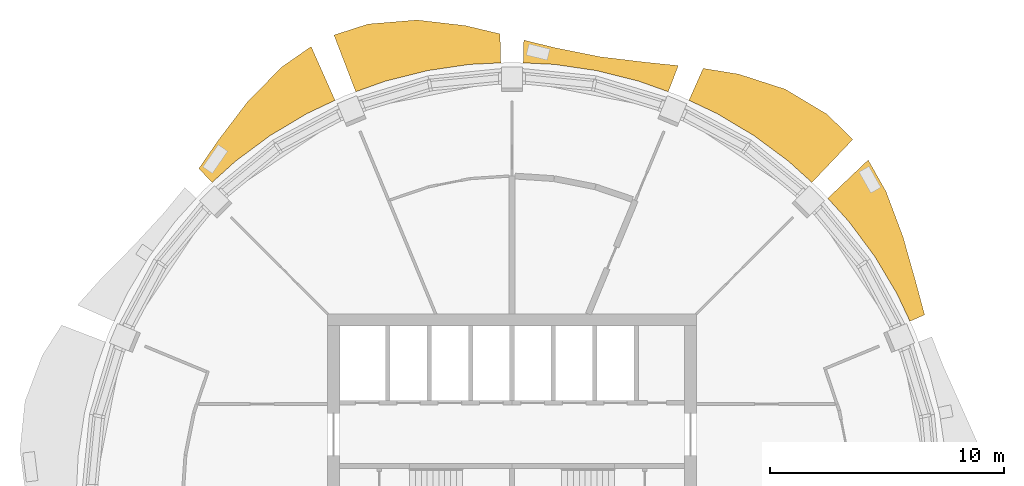
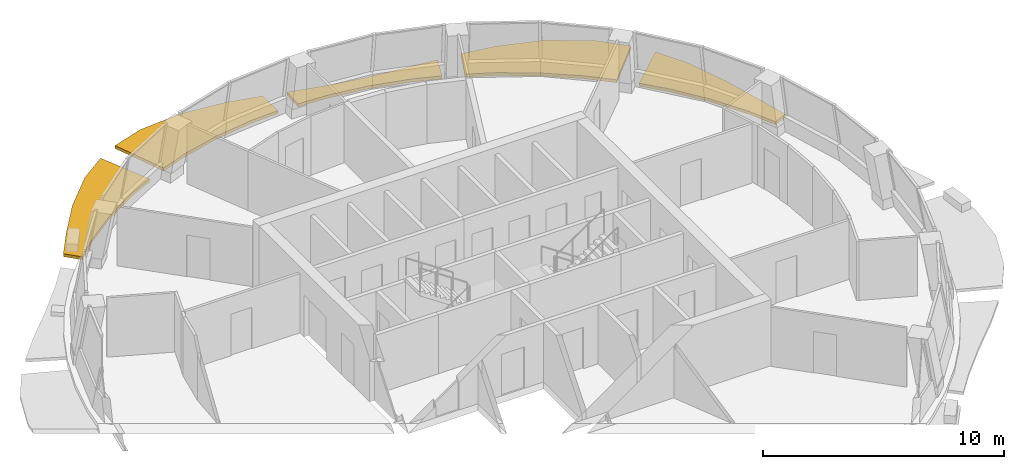
# One storey, part 10 of 11: 5 shading devices.
"""IFC4 building model written with IfcOpenShell, lengths in metres."""

import ifcopenshell
import ifcopenshell.guid

model = None  # the IFC model being written
_history = None  # IfcOwnerHistory: only IFC2X3 demands one
_inside = {}  # id of a spatial element -> (the spatial element, [elements in it])
_under = {}  # id of a project, library or spatial element -> (it, [spatial elements below it])
_declared = {}  # id of a project -> (the project, [libraries it declares])
_typed = {}  # id of a type object -> (the type object, [elements of that type])
_made_of = {}  # id of a material, layer set ... -> (it, [elements and type objects made of it])


def new_model(schema):
    """Start an empty IFC model of exactly this schema.

    Asked for "IFC4X3", IfcOpenShell would pick the latest addendum, in which some entities
    have other attributes; the version numbers below select the first issue.
    IFC2X3 requires an IfcOwnerHistory on every rooted entity: one is made here for all.
    """
    global model, _history
    if schema == "IFC4X3":
        model = ifcopenshell.file(schema_version=(4, 3, 0, 0))
    else:
        model = ifcopenshell.file(schema=schema)
    _inside.clear()
    _under.clear()
    _declared.clear()
    _typed.clear()
    _made_of.clear()
    _history = None
    if model.schema == "IFC2X3":
        org = make("IfcOrganization", Name="unknown")
        user = make(
            "IfcPersonAndOrganization",
            ThePerson=make("IfcPerson", FamilyName="unknown"),
            TheOrganization=org,
        )
        app = make(
            "IfcApplication",
            ApplicationDeveloper=org,
            Version="unknown",
            ApplicationFullName="unknown",
            ApplicationIdentifier="unknown",
        )
        _history = make(
            "IfcOwnerHistory",
            OwningUser=user,
            OwningApplication=app,
            ChangeAction="ADDED",
            CreationDate=0,
        )
    return model


def make(cls, **values):
    """One entity of the class cls with the attributes given. An attribute that is None is left unset."""
    return model.create_entity(
        cls, **{name: value for name, value in values.items() if value is not None}
    )


def rooted(cls, **values):
    """An entity with a GlobalId (a new one), such as an element, a storey or a relation."""
    return make(cls, GlobalId=ifcopenshell.guid.new(), OwnerHistory=_history, **values)


def si_unit(unit_type, name, prefix=None):
    """IfcSIUnit, for example si_unit("LENGTHUNIT", "METRE", prefix="MILLI")."""
    return make("IfcSIUnit", UnitType=unit_type, Prefix=prefix, Name=name)


def assignment(units):
    """IfcUnitAssignment: the units of a project."""
    return None if units is None else make("IfcUnitAssignment", Units=units)


def point(xyz):
    """IfcCartesianPoint."""
    return None if xyz is None else make("IfcCartesianPoint", Coordinates=xyz)


def direction(xyz):
    """IfcDirection."""
    return None if xyz is None else make("IfcDirection", DirectionRatios=xyz)


def frame(location, z_axis=None, x_axis=None):
    """IfcAxis2Placement3D, a coordinate frame: its origin and axes. An axis left out is left unset."""
    return make(
        "IfcAxis2Placement3D",
        Location=point(location),
        Axis=direction(z_axis),
        RefDirection=direction(x_axis),
    )


def origin():
    """The frame at (0, 0, 0) with its axes left unset."""
    return frame((0.0, 0.0, 0.0))


def place(relative_to, where):
    """IfcLocalPlacement: puts the frame where relative to a parent placement (None: the world)."""
    return make(
        "IfcLocalPlacement", PlacementRelTo=relative_to, RelativePlacement=where
    )


def context(
    kind, dimensions, precision=None, world=None, true_north=None, identifier=None
):
    """IfcGeometricRepresentationContext, for example the 3D "Model" context."""
    return make(
        "IfcGeometricRepresentationContext",
        ContextIdentifier=identifier,
        ContextType=kind,
        CoordinateSpaceDimension=dimensions,
        Precision=precision,
        WorldCoordinateSystem=world,
        TrueNorth=true_north,
    )


def subcontext(parent, identifier, kind, view, scale=None):
    """IfcGeometricRepresentationSubContext, for example "Body" below "Model"."""
    return make(
        "IfcGeometricRepresentationSubContext",
        ContextIdentifier=identifier,
        ContextType=kind,
        ParentContext=parent,
        TargetScale=scale,
        TargetView=view,
    )


def project(units=None, contexts=None):
    """IfcProject with its units and contexts."""
    return rooted(
        "IfcProject",
        Name="project",
        RepresentationContexts=contexts,
        UnitsInContext=assignment(units),
    )


def spatial(cls, under=None, at=None, **own):
    """A site, building, storey or space (cls), placed at a placement, below another one or the project."""
    s = rooted(cls, ObjectPlacement=at, **own)
    if under is not None:
        _under.setdefault(under.id(), (under, []))[1].append(s)
    return s


def polyline(points):
    """IfcPolyline through the points."""
    return make("IfcPolyline", Points=[point(p) for p in points])


def outline(outer, holes=None, kind="AREA"):
    """IfcArbitraryClosedProfileDef: a profile drawn as a closed curve; with holes, ...WithVoids."""
    if holes is None:
        return make("IfcArbitraryClosedProfileDef", ProfileType=kind, OuterCurve=outer)
    return make(
        "IfcArbitraryProfileDefWithVoids",
        ProfileType=kind,
        OuterCurve=outer,
        InnerCurves=holes,
    )


def extrude(swept, where, along, depth):
    """IfcExtrudedAreaSolid: the profile swept, set in the frame where, extruded along a direction by depth."""
    return make(
        "IfcExtrudedAreaSolid",
        SweptArea=swept,
        Position=where,
        ExtrudedDirection=direction(along),
        Depth=depth,
    )


def shape(context_of_items, identifier, shape_type, items):
    """IfcShapeRepresentation: the items that make up one representation, for example the "Body"."""
    return make(
        "IfcShapeRepresentation",
        ContextOfItems=context_of_items,
        RepresentationIdentifier=identifier,
        RepresentationType=shape_type,
        Items=items,
    )


def material(Name=None, Category=None):
    """IfcMaterial."""
    return make("IfcMaterial", Name=Name, Category=Category)


def made_of(thing, what):
    """Note that an element or type object is made of a material, layer set ...; save() writes the relation."""
    if what is not None:
        _made_of.setdefault(what.id(), (what, []))[1].append(thing)
    return thing


def type_object(cls, material=None, **own):
    """A type object (cls), such as IfcWallType, which elements share."""
    return made_of(rooted(cls, **own), material)


def element(
    cls,
    number,
    at=None,
    inside=None,
    cuts=None,
    type_object=None,
    material=None,
    context=None,
    identifier="Body",
    shape_type=None,
    held_by="IfcProductDefinitionShape",
    body=None,
    shapes=None,
    **own,
):
    """One element of the class cls, such as IfcWall. Its Tag is "e" and its number.

    at: its placement. inside: the storey or other place that contains it. cuts: it is an
    opening in that element (IfcRelVoidsElement). A single representation is given by context,
    identifier, shape_type and body (its items); several are given by shapes. held_by: the class
    of the entity that holds the representations. save() writes the other relations.
    """
    e = rooted(cls, Tag="e%d" % number, ObjectPlacement=at, **own)
    if body is not None:
        shapes = [shape(context, identifier, shape_type, body)]
    if shapes is not None:
        e.Representation = make(held_by, Representations=shapes)
    if inside is not None:
        _inside.setdefault(inside.id(), (inside, []))[1].append(e)
    if cuts is not None:
        rooted(
            "IfcRelVoidsElement", RelatingBuildingElement=cuts, RelatedOpeningElement=e
        )
    if type_object is not None:
        _typed.setdefault(type_object.id(), (type_object, []))[1].append(e)
    return made_of(e, material)


def aggregate(whole, parts):
    """IfcRelAggregates: a whole, such as a stair, and the parts it consists of."""
    return rooted("IfcRelAggregates", RelatingObject=whole, RelatedObjects=parts)


def save(model, path):
    """Write the relations noted so far, then the file.

    IfcRelAggregates (storeys below a building ...), IfcRelContainedInSpatialStructure (elements
    in a storey), IfcRelDefinesByType, IfcRelAssociatesMaterial and IfcRelDeclares: one each for
    every whole, place, type object, material and project.
    """
    for whole, parts in _under.values():
        aggregate(whole, parts)
    for where, things in _inside.values():
        rooted(
            "IfcRelContainedInSpatialStructure",
            RelatedElements=things,
            RelatingStructure=where,
        )
    for kind, things in _typed.values():
        rooted("IfcRelDefinesByType", RelatedObjects=things, RelatingType=kind)
    for what, things in _made_of.values():
        rooted("IfcRelAssociatesMaterial", RelatedObjects=things, RelatingMaterial=what)
    for by, libraries in _declared.values():
        rooted("IfcRelDeclares", RelatingContext=by, RelatedDefinitions=libraries)
    model.write(path)


model = new_model("IFC4")

# Units and contexts
model_context = context("Model", 3, precision=1e-05, world=origin(), true_north=direction((0.0, 1.0)))
body_context = subcontext(model_context, "Body", "Model", "MODEL_VIEW")
ifc_project = project(units=[si_unit("LENGTHUNIT", "METRE"), si_unit("AREAUNIT", "SQUARE_METRE"), si_unit("VOLUMEUNIT", "CUBIC_METRE"), si_unit("PLANEANGLEUNIT", "RADIAN"), si_unit("MASSUNIT", "GRAM", prefix="KILO")], contexts=[model_context])

# Site, building, storey
site_placement = place(None, origin())
site = spatial("IfcSite", under=ifc_project, at=site_placement, CompositionType="ELEMENT")
building_placement = place(site_placement, origin())
building = spatial("IfcBuilding", under=site, at=building_placement, Name="Polderwave Tower", CompositionType="ELEMENT")
storey_placement = place(building_placement, frame((0.0, 0.0, 184.300048828125)))
storey = spatial("IfcBuildingStorey", under=building, at=storey_placement, Name="L49", CompositionType="ELEMENT", Elevation=184.300048828125)

# Shading devices
ifc_material = material(Name="Terracotta", Category="masonry")
shading_device_type = type_object("IfcShadingDeviceType", Name="Terracotta sunshade band", PredefinedType="USERDEFINED", material=ifc_material)
shading_device_1_placement = place(storey_placement, frame((0.0, 0.0, -0.35009765625)))
element("IfcShadingDevice", 1, at=shading_device_1_placement, inside=storey, type_object=shading_device_type, Name="Sunshade band L49 2", ObjectType="SUNSHADE", PredefinedType="USERDEFINED", context=body_context, shape_type="SweptSolid", body=[
    extrude(outline(polyline([(16.997802734375, 7.558837890625), (16.42138671875, 8.77734375), (15.48193359375, 10.3447265625), (14.3935546875, 11.8125), (13.48828125, 12.81103515625), (15.212890625, 14.44921875), (15.97216796875, 13.10791015625), (16.70361328125, 11.1611328125), (17.2509765625, 9.220703125), (17.623779296875, 7.83740234375), (16.997802734375, 7.558837890625)])), origin(), (0.0, 0.0, 1.0), 0.150146484375),
])
shading_device_2_placement = place(storey_placement, frame((0.0, 0.0, -0.35009765625)))
element("IfcShadingDevice", 2, at=shading_device_2_placement, inside=storey, type_object=shading_device_type, Name="Sunshade band L49 3", ObjectType="SUNSHADE", PredefinedType="USERDEFINED", context=body_context, shape_type="SweptSolid", body=[
    extrude(outline(polyline([(12.81103515625, 13.48828125), (11.8125, 14.3935546875), (10.3447265625, 15.48193359375), (8.77734375, 16.42138671875), (7.558837890625, 16.997802734375), (8.16552734375, 18.36181640625), (9.68310546875, 18.115966796875), (11.67431640625, 17.471923828125), (13.46044921875, 16.401611328125), (14.555419921875, 15.32470703125), (12.81103515625, 13.48828125)])), origin(), (0.0, 0.0, 1.0), 0.150146484375),
])
shading_device_3_placement = place(storey_placement, frame((0.0, 0.0, -0.35009765625)))
element("IfcShadingDevice", 3, at=shading_device_3_placement, inside=storey, type_object=shading_device_type, Name="Sunshade band L49 4", ObjectType="SUNSHADE", PredefinedType="USERDEFINED", context=body_context, shape_type="SweptSolid", body=[
    extrude(outline(polyline([(6.67431640625, 17.364013671875), (5.405029296875, 17.818115234375), (3.632568359375, 18.26220703125), (1.8251953125, 18.5302734375), (0.478759765625, 18.596435546875), (0.50390625, 19.56884765625), (1.89404296875, 19.22998046875), (3.751220703125, 18.859130859375), (5.6513671875, 18.6298828125), (7.103271484375, 18.480224609375), (6.67431640625, 17.364013671875)])), origin(), (0.0, 0.0, 1.0), 0.150146484375),
])
shading_device_4_placement = place(storey_placement, frame((0.0, 0.0, -0.35009765625)))
element("IfcShadingDevice", 4, at=shading_device_4_placement, inside=storey, type_object=shading_device_type, Name="Sunshade band L49 5", ObjectType="SUNSHADE", PredefinedType="USERDEFINED", context=body_context, shape_type="SweptSolid", body=[
    extrude(outline(polyline([(-0.478759765625, 18.596435546875), (-1.8251953125, 18.5302734375), (-3.632568359375, 18.26220703125), (-5.405029296875, 17.818115234375), (-6.67431640625, 17.364013671875), (-7.60498046875, 19.78564453125), (-6.144287109375, 20.255615234375), (-4.0634765625, 20.428466796875), (-1.98828125, 20.187744140625), (-0.5107421875, 19.835205078125), (-0.478759765625, 18.596435546875)])), origin(), (0.0, 0.0, 1.0), 0.150146484375),
])
shading_device_5_placement = place(storey_placement, frame((0.0, 0.0, -0.35009765625)))
element("IfcShadingDevice", 5, at=shading_device_5_placement, inside=storey, type_object=shading_device_type, Name="Sunshade band L49 6", ObjectType="SUNSHADE", PredefinedType="USERDEFINED", context=body_context, shape_type="SweptSolid", body=[
    extrude(outline(polyline([(-7.558837890625, 16.997802734375), (-8.77734375, 16.42138671875), (-10.3447265625, 15.48193359375), (-11.8125, 14.3935546875), (-12.81103515625, 13.48828125), (-13.376708984375, 14.083740234375), (-12.546875, 15.288330078125), (-11.30615234375, 16.9208984375), (-9.842529296875, 18.4140625), (-8.580810546875, 19.29541015625), (-7.558837890625, 16.997802734375)])), origin(), (0.0, 0.0, 1.0), 0.150146484375),
])

save(model, "model.ifc")
